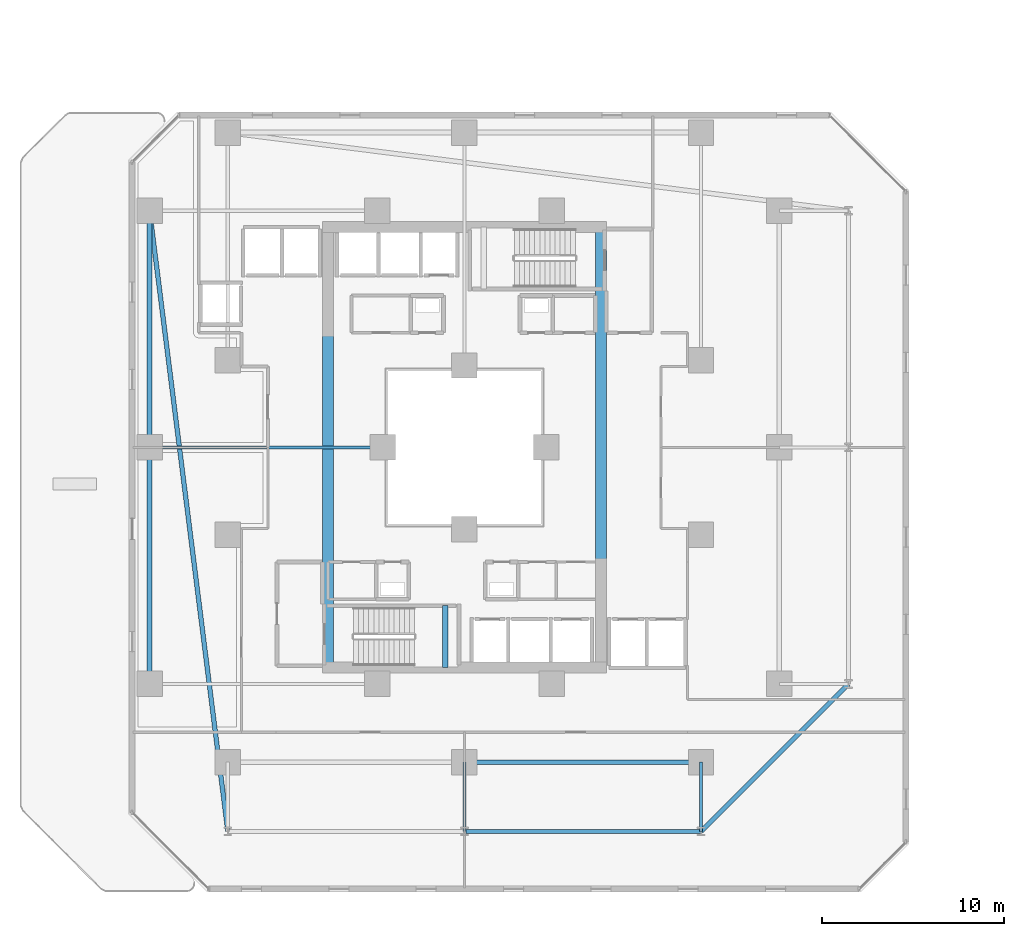
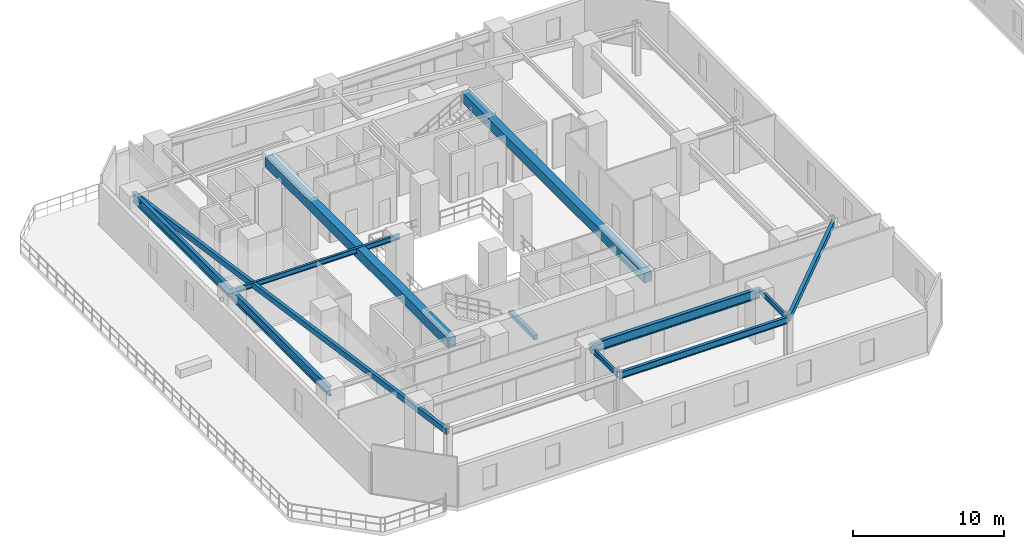
# One storey, part 4 of 33: 12 beams.
"""IFC4 building model written with IfcOpenShell, lengths in metres."""

from ifc_helpers import new_model, si_unit, direction, frame, origin, origin_2d, place, context, subcontext, project, spatial, rectangle, hollow_rectangle, i_section, extrude, material, material_profile, profile_set, type_object, element, save


model = new_model("IFC4")

# Units and contexts
model_context = context("Model", 3, precision=1e-05, world=origin(), true_north=direction((0.0, 1.0)))
body_context = subcontext(model_context, "Body", "Model", "MODEL_VIEW")
ifc_project = project(units=[si_unit("LENGTHUNIT", "METRE"), si_unit("AREAUNIT", "SQUARE_METRE"), si_unit("VOLUMEUNIT", "CUBIC_METRE"), si_unit("PLANEANGLEUNIT", "RADIAN"), si_unit("MASSUNIT", "GRAM", prefix="KILO")], contexts=[model_context])

# Site, building, storey
site_placement = place(None, origin())
site = spatial("IfcSite", under=ifc_project, at=site_placement, CompositionType="ELEMENT")
building_placement = place(site_placement, origin())
building = spatial("IfcBuilding", under=site, at=building_placement, Name="Thornwick Lancets Civic Towers", CompositionType="ELEMENT")
storey_placement = place(building_placement, frame((0.0, 0.0, 49.5)))
storey = spatial("IfcBuildingStorey", under=building, at=storey_placement, Name="L12", CompositionType="ELEMENT", Elevation=49.5)

# Beams
ifc_material_1 = material(Name="Concrete C60/75", Category="concrete")
ifc_material_profile_1 = material_profile(ifc_material_1, rectangle(XDim=0.60009765625, YDim=0.800048828125, at=origin_2d()), Name="RC 600x800")
ifc_profile_set_1 = profile_set([ifc_material_profile_1], Name="Concrete C60/75")
beam_type_1 = type_object("IfcBeamType", Name="BM_COUP_RC800", PredefinedType="BEAM", material=ifc_profile_set_1)
for number, where, z_axis, x_axis, name in (
    (1, (33.0, 14.89990234375, 3.56005859375), (0.0, 1.0, 0.0), (-1.0, 0.0, 0.0), "CB-L12-A1"),
    (2, (18.0, 14.89990234375, 3.56005859375), (0.0, 1.0, 0.0), (-1.0, 0.0, 0.0), "CB-L12-A2"),
):
    element("IfcBeam", number, at=place(storey_placement, frame(where, z_axis=z_axis, x_axis=x_axis)), inside=storey, type_object=beam_type_1, Name=name, PredefinedType="BEAM", context=body_context, shape_type="SweptSolid", body=[
        extrude(rectangle(XDim=0.60009765625, YDim=0.800048828125, at=origin_2d()), origin(), (0.0, 0.0, 1.0), 24.2001953125),
    ])
ifc_material_2 = material(Name="Steel S355JR", Category="steel")
ifc_material_profile_2 = material_profile(ifc_material_2, i_section(OverallWidth=0.2119140625, OverallDepth=0.54443359375, WebThickness=0.0126953125, FlangeThickness=0.021240234375, FilletRadius=0.0126953125, at=origin_2d()), Name="UKB 533x210x122")
ifc_profile_set_2 = profile_set([ifc_material_profile_2], Name="Steel S355JR")
beam_type_2 = type_object("IfcBeamType", Name="BM_EDGE_533_122", PredefinedType="SPANDREL", material=ifc_profile_set_2)
beam_1_placement = place(storey_placement, frame((25.580078125, 5.89990234375, 3.687744140625), z_axis=(1.0, 0.0, 0.0), x_axis=(0.0, 1.0, 0.0)))
element("IfcBeam", 3, at=beam_1_placement, inside=storey, type_object=beam_type_2, Name="BM-EDGE-L12-A-S0-2", PredefinedType="SPANDREL", context=body_context, shape_type="SweptSolid", body=[
    extrude(i_section(OverallWidth=0.2119140625, OverallDepth=0.54443359375, WebThickness=0.0126953125, FlangeThickness=0.021240234375, FilletRadius=0.0126953125, at=origin_2d()), origin(), (0.0, 0.0, 1.0), 12.919921875),
])
ifc_material_profile_3 = material_profile(ifc_material_2, i_section(OverallWidth=0.26806640625, OverallDepth=0.769775390625, WebThickness=0.015625, FlangeThickness=0.025390625, FilletRadius=0.0166015625, at=origin_2d()), Name="UKB 762x267x197")
ifc_profile_set_3 = profile_set([ifc_material_profile_3], Name="Steel S355JR")
beam_type_3 = type_object("IfcBeamType", Name="BM_GIRD_762_197", PredefinedType="BEAM", material=ifc_profile_set_3)
beam_2_placement = place(storey_placement, frame((25.580078125, 9.699951171875, 3.5751953125), z_axis=(1.0, 0.0, 0.0), x_axis=(0.0, 1.0, 0.0)))
element("IfcBeam", 4, at=beam_2_placement, inside=storey, type_object=beam_type_3, Name="BM-SPINE-L12-A-1-2", PredefinedType="BEAM", context=body_context, shape_type="SweptSolid", body=[
    extrude(i_section(OverallWidth=0.26806640625, OverallDepth=0.769775390625, WebThickness=0.015625, FlangeThickness=0.025390625, FilletRadius=0.0166015625, at=origin_2d()), origin(), (0.0, 0.0, 1.0), 12.919921875),
])
beam_3_placement = place(storey_placement, frame((8.199951171875, 14.0, 3.5751953125), z_axis=(0.0, 1.0, 0.0), x_axis=(-1.0, 0.0, 0.0)))
element("IfcBeam", 5, at=beam_3_placement, inside=storey, type_object=beam_type_3, Name="BM-SPINE-L12-A-9-10", PredefinedType="BEAM", context=body_context, shape_type="SweptSolid", body=[
    extrude(i_section(OverallWidth=0.26806640625, OverallDepth=0.769775390625, WebThickness=0.015625, FlangeThickness=0.025390625, FilletRadius=0.0166015625, at=origin_2d()), origin(), (0.0, 0.0, 1.0), 13.0),
])
beam_4_placement = place(storey_placement, frame((8.199951171875, 27.080078125, 3.5751953125), z_axis=(0.0, 1.0, 0.0), x_axis=(-1.0, 0.0, 0.0)))
element("IfcBeam", 6, at=beam_4_placement, inside=storey, type_object=beam_type_3, Name="BM-SPINE-L12-A-10-11", PredefinedType="BEAM", context=body_context, shape_type="SweptSolid", body=[
    extrude(i_section(OverallWidth=0.26806640625, OverallDepth=0.769775390625, WebThickness=0.015625, FlangeThickness=0.025390625, FilletRadius=0.0166015625, at=origin_2d()), origin(), (0.0, 0.0, 1.0), 12.919921875),
])
ifc_material_profile_4 = material_profile(ifc_material_2, i_section(OverallWidth=0.179443359375, OverallDepth=0.412841796875, WebThickness=0.009521484375, FlangeThickness=0.01611328125, FilletRadius=0.01025390625, at=origin_2d()), Name="UKB 406x178x74")
ifc_profile_set_4 = profile_set([ifc_material_profile_4], Name="Steel S355JR")
beam_type_4 = type_object("IfcBeamType", Name="BM_JOIST_406_74", PredefinedType="JOIST", material=ifc_profile_set_4)
for number, where, z_axis, x_axis, name in (
    (7, (25.5, 9.699951171875, 3.753662109375), (0.0, -1.0, 0.0), (1.0, 0.0, 0.0), "BM-RAD-L12-A02"),
    (8, (38.5, 9.699951171875, 3.753662109375), (0.0, -1.0, 0.0), (1.0, 0.0, 0.0), "BM-RAD-L12-A03"),
):
    element("IfcBeam", number, at=place(storey_placement, frame(where, z_axis=z_axis, x_axis=x_axis)), inside=storey, type_object=beam_type_4, Name=name, PredefinedType="JOIST", context=body_context, shape_type="SweptSolid", body=[
        extrude(i_section(OverallWidth=0.179443359375, OverallDepth=0.412841796875, WebThickness=0.009521484375, FlangeThickness=0.01611328125, FilletRadius=0.01025390625, at=origin_2d()), origin(), (0.0, 0.0, 1.0), 3.800048828125),
    ])
beam_5_placement = place(storey_placement, frame((21.0, 27.0, 3.753662109375), z_axis=(-1.0, 0.0, 0.0), x_axis=(0.0, -1.0, 0.0)))
element("IfcBeam", 9, at=beam_5_placement, inside=storey, type_object=beam_type_4, Name="BM-RADIN-L12-A11", PredefinedType="JOIST", context=body_context, shape_type="SweptSolid", body=[
    extrude(i_section(OverallWidth=0.179443359375, OverallDepth=0.412841796875, WebThickness=0.009521484375, FlangeThickness=0.01611328125, FilletRadius=0.01025390625, at=origin_2d()), origin(), (0.0, 0.0, 1.0), 12.800048828125),
])
ifc_material_profile_5 = material_profile(ifc_material_2, hollow_rectangle(XDim=0.25, YDim=0.449951171875, WallThickness=0.01611328125, at=origin_2d()), Name="RHS 450x250x16")
ifc_profile_set_5 = profile_set([ifc_material_profile_5], Name="Steel S355JR")
beam_type_5 = type_object("IfcBeamType", Name="BM_RING_RHS450", PredefinedType="BEAM", material=ifc_profile_set_5)
beam_6_placement = place(storey_placement, frame((38.5, 5.89990234375, 3.735107421875), z_axis=(0.707106781187, 0.707106781187, 0.0), x_axis=(-0.707106781187, 0.707106781187, 0.0)))
element("IfcBeam", 10, at=beam_6_placement, inside=storey, type_object=beam_type_5, Name="BM-CHAMF-L12-A-C0", PredefinedType="BEAM", context=body_context, shape_type="SweptSolid", body=[
    extrude(hollow_rectangle(XDim=0.25, YDim=0.449951171875, WallThickness=0.01611328125, at=origin_2d()), origin(), (0.0, 0.0, 1.0), 11.455322265625),
])
beam_7_placement = place(storey_placement, frame((8.199951171875, 40.0, 3.735107421875), z_axis=(0.12510998836, -0.992142878225, 0.0), x_axis=(0.992142878225, 0.12510998836, 0.0)))
element("IfcBeam", 11, at=beam_7_placement, inside=storey, type_object=beam_type_5, Name="BM-CHAMF-L12-A-C3", PredefinedType="BEAM", context=body_context, shape_type="SweptSolid", body=[
    extrude(hollow_rectangle(XDim=0.25, YDim=0.449951171875, WallThickness=0.01611328125, at=origin_2d()), origin(), (0.0, 0.0, 1.0), 34.3701171875),
])
ifc_material_3 = material(Name="Concrete C40/50", Category="concrete")
ifc_material_profile_6 = material_profile(ifc_material_3, rectangle(XDim=0.300048828125, YDim=0.35009765625, at=origin_2d()), Name="RC 300x350")
ifc_profile_set_6 = profile_set([ifc_material_profile_6], Name="Concrete C40/50")
beam_type_6 = type_object("IfcBeamType", Name="BM_STAIR_LDG", PredefinedType="BEAM", material=ifc_profile_set_6)
beam_8_placement = place(storey_placement, frame((24.43505859375, 14.89990234375, 1.677978515625), z_axis=(0.0, 1.0, 0.0), x_axis=(-1.0, 0.0, 0.0)))
element("IfcBeam", 12, at=beam_8_placement, inside=storey, type_object=beam_type_6, Name="L12 ST-A1 Landing Support Beam 1", PredefinedType="BEAM", context=body_context, shape_type="SweptSolid", body=[
    extrude(rectangle(XDim=0.300048828125, YDim=0.35009765625, at=origin_2d()), origin(), (0.0, 0.0, 1.0), 3.400146484375),
])

save(model, "model.ifc")
